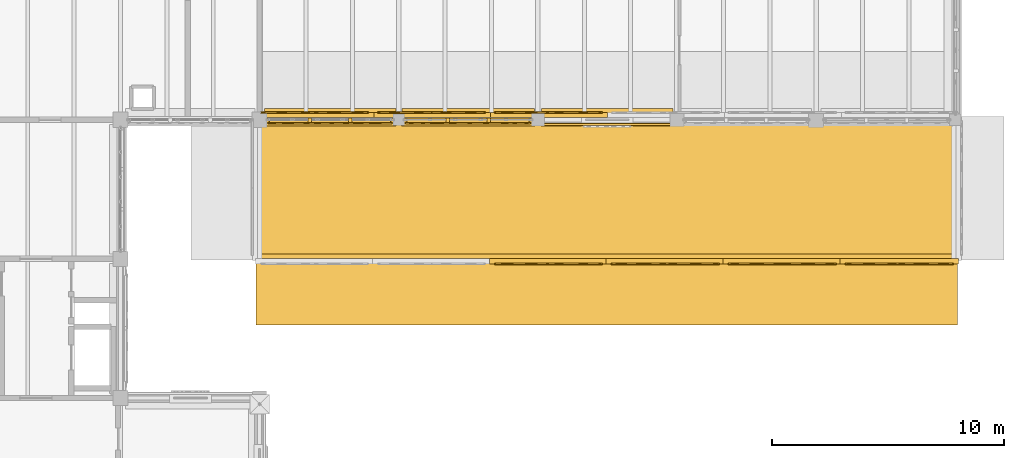
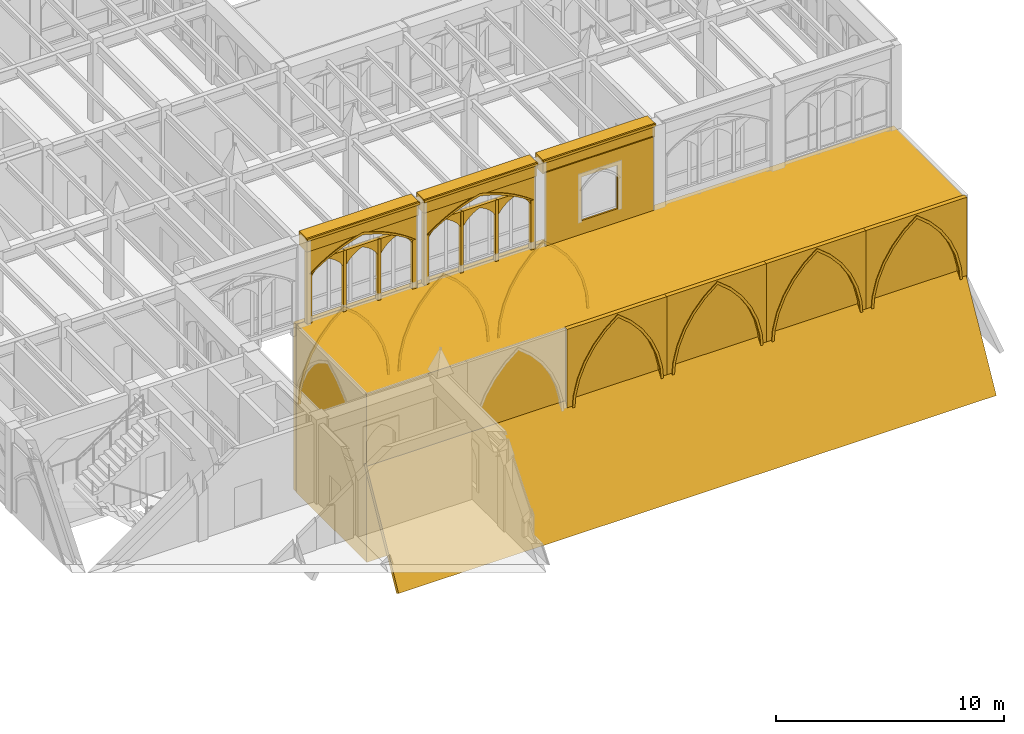
# One storey, part 137 of 143: 37 coverings.
"""IFC4 building model written with IfcOpenShell, lengths in metres."""

from ifc_helpers import new_model, si_unit, direction, frame, origin, origin_2d, place, context, subcontext, project, spatial, polyline, rectangle, outline, extrude, material, type_object, element, save


model = new_model("IFC4")

# Units and contexts
model_context = context("Model", 3, precision=1e-05, world=origin(), true_north=direction((0.0, 1.0)))
body_context = subcontext(model_context, "Body", "Model", "MODEL_VIEW")
ifc_project = project(units=[si_unit("LENGTHUNIT", "METRE"), si_unit("AREAUNIT", "SQUARE_METRE"), si_unit("VOLUMEUNIT", "CUBIC_METRE"), si_unit("PLANEANGLEUNIT", "RADIAN"), si_unit("MASSUNIT", "GRAM", prefix="KILO")], contexts=[model_context])

# Site, building, storey
site_placement = place(None, origin())
site = spatial("IfcSite", under=ifc_project, at=site_placement, CompositionType="ELEMENT")
building_placement = place(site_placement, origin())
building = spatial("IfcBuilding", under=site, at=building_placement, Name="Cumevento Cable Car Station", CompositionType="ELEMENT")
storey_placement = place(building_placement, frame((0.0, 0.0, 9.0)))
storey = spatial("IfcBuildingStorey", under=building, at=storey_placement, Name="L03", CompositionType="ELEMENT", Elevation=9.0)

# Coverings
ifc_material = material(Name="Gnaisse Facoidal Stone Ashlar 85 MPa", Category="masonry")
covering_type = type_object("IfcCoveringType", Name="Gnaisse Ashlar Cladding CV-CL01", PredefinedType="CLADDING", material=ifc_material)
covering_1_placement = place(storey_placement, frame((139.03759765625, 33.14990234375, 3.8330078125), z_axis=(0.0, 0.0, 1.0), x_axis=(-1.0, 0.0, 0.0)))
element("IfcCovering", 1, at=covering_1_placement, inside=storey, type_object=covering_type, Name="Gothic Stone Spandrel Stringcourse sc:0680", PredefinedType="CLADDING", context=body_context, shape_type="SweptSolid", body=[
    extrude(rectangle(XDim=5.6650390625, YDim=0.659912109375, at=origin_2d()), origin(), (0.0, 0.0, 1.0), 0.7470703125),
])
covering_2_placement = place(storey_placement, frame((139.03759765625, 32.79248046875, 4.449951171875), z_axis=(0.0, 0.0, 1.0), x_axis=(-1.0, 0.0, 0.0)))
element("IfcCovering", 2, at=covering_2_placement, inside=storey, type_object=covering_type, Name="Gothic Cornice Dripstone Lip sc:0680", PredefinedType="CLADDING", context=body_context, shape_type="SweptSolid", body=[
    extrude(rectangle(XDim=5.705078125, YDim=0.114990234375, at=origin_2d()), origin(), (0.0, 0.0, 1.0), 0.1298828125),
])
covering_3_placement = place(storey_placement, frame((144.987548828125, 33.14990234375, 3.8330078125), z_axis=(0.0, 0.0, 1.0), x_axis=(-1.0, 0.0, 0.0)))
element("IfcCovering", 3, at=covering_3_placement, inside=storey, type_object=covering_type, Name="Gothic Stone Spandrel Stringcourse sc:0681", PredefinedType="CLADDING", context=body_context, shape_type="SweptSolid", body=[
    extrude(rectangle(XDim=5.715087890625, YDim=0.659912109375, at=origin_2d()), origin(), (0.0, 0.0, 1.0), 0.7470703125),
])
covering_4_placement = place(storey_placement, frame((144.987548828125, 32.79248046875, 4.449951171875), z_axis=(0.0, 0.0, 1.0), x_axis=(-1.0, 0.0, 0.0)))
element("IfcCovering", 4, at=covering_4_placement, inside=storey, type_object=covering_type, Name="Gothic Cornice Dripstone Lip sc:0681", PredefinedType="CLADDING", context=body_context, shape_type="SweptSolid", body=[
    extrude(rectangle(XDim=5.7548828125, YDim=0.114990234375, at=origin_2d()), origin(), (0.0, 0.0, 1.0), 0.1298828125),
])
covering_5_placement = place(storey_placement, frame((150.987548828125, 33.14990234375, 3.8330078125), z_axis=(0.0, 0.0, 1.0), x_axis=(-1.0, 0.0, 0.0)))
element("IfcCovering", 5, at=covering_5_placement, inside=storey, type_object=covering_type, Name="Gothic Stone Spandrel Stringcourse sc:0682", PredefinedType="CLADDING", context=body_context, shape_type="SweptSolid", body=[
    extrude(rectangle(XDim=5.6650390625, YDim=0.659912109375, at=origin_2d()), origin(), (0.0, 0.0, 1.0), 0.7470703125),
])
covering_6_placement = place(storey_placement, frame((150.987548828125, 32.79248046875, 4.449951171875), z_axis=(0.0, 0.0, 1.0), x_axis=(-1.0, 0.0, 0.0)))
element("IfcCovering", 6, at=covering_6_placement, inside=storey, type_object=covering_type, Name="Gothic Cornice Dripstone Lip sc:0682", PredefinedType="CLADDING", context=body_context, shape_type="SweptSolid", body=[
    extrude(rectangle(XDim=5.705078125, YDim=0.114990234375, at=origin_2d()), origin(), (0.0, 0.0, 1.0), 0.1298828125),
])
placement_1 = place(storey_placement, frame((141.75, 33.0, -0.3701171875), z_axis=(0.0, 0.0, 1.0), x_axis=(-1.0, 0.0, 0.0)))
element("IfcCovering", 7, at=placement_1, inside=storey, type_object=covering_type, Name="Gothic Ogival Pointed-Arch Stone Spandrel cw_ogival:0131", PredefinedType="CLADDING", context=body_context, shape_type="SweptSolid", body=[
    extrude(outline(polyline([(-0.080078125, 0.0), (-0.080078125, 4.343017578125), (5.5048828125, 4.343017578125), (5.5048828125, 0.0), (5.264892578125, 0.0), (5.264892578125, 2.97314453125), (4.97412109375, 3.17333984375), (4.673583984375, 3.359130859375), (4.3642578125, 3.529541015625), (4.046875, 3.6845703125), (3.72216796875, 3.823974609375), (3.39111328125, 3.94677734375), (3.05419921875, 4.05322265625), (2.71240234375, 4.14306640625), (2.370849609375, 4.05322265625), (2.033935546875, 3.94677734375), (1.702880859375, 3.823974609375), (1.378173828125, 3.6845703125), (1.060791015625, 3.529541015625), (0.75146484375, 3.359130859375), (0.450927734375, 3.17333984375), (0.159912109375, 2.97314453125), (0.159912109375, 0.0), (-0.080078125, 0.0)])), frame((0.0, 0.139892578125, 0.0), z_axis=(0.0, -1.0, 0.0), x_axis=(1.0, 0.0, 0.0)), (0.0, 0.0, 1.0), 0.219970703125),
])
covering_8_placement = place(storey_placement, frame((141.75, 33.0, 2.60302734375), z_axis=(0.0, 0.0, 1.0), x_axis=(-1.0, 0.0, 0.0)))
element("IfcCovering", 8, at=covering_8_placement, inside=storey, type_object=covering_type, Name="Gothic Pointed Archivolt Hood Moulding cw_ogival:0131", PredefinedType="CLADDING", context=body_context, shape_type="SweptSolid", body=[
    extrude(outline(polyline([(0.159912109375, 0.0), (0.450927734375, 0.2001953125), (0.75146484375, 0.385986328125), (1.060791015625, 0.556396484375), (1.378173828125, 0.71142578125), (1.702880859375, 0.850830078125), (2.033935546875, 0.9736328125), (2.370849609375, 1.080078125), (2.71240234375, 1.169921875), (3.05419921875, 1.080078125), (3.39111328125, 0.9736328125), (3.72216796875, 0.850830078125), (4.046875, 0.71142578125), (4.3642578125, 0.556396484375), (4.673583984375, 0.385986328125), (4.97412109375, 0.2001953125), (5.264892578125, 0.0), (5.375, 0.0), (5.075439453125, 0.22314453125), (4.7646484375, 0.43017578125), (4.443359375, 0.62060546875), (4.11279296875, 0.7939453125), (3.773193359375, 0.94970703125), (3.426025390625, 1.08740234375), (3.072265625, 1.206787109375), (2.71240234375, 1.307373046875), (2.352783203125, 1.206787109375), (1.9990234375, 1.08740234375), (1.65185546875, 0.94970703125), (1.312255859375, 0.7939453125), (0.981689453125, 0.62060546875), (0.660400390625, 0.43017578125), (0.349609375, 0.22314453125), (0.050048828125, 0.0), (0.159912109375, 0.0)])), frame((0.0, 0.181884765625, 0.0), z_axis=(0.0, -1.0, 0.0), x_axis=(1.0, 0.0, 0.0)), (0.0, 0.0, 1.0), 0.06689453125),
])
element("IfcCovering", 9, at=placement_1, inside=storey, type_object=covering_type, Name="Gothic Bifora Stone Colonnette cw_ogival:0131 #1", PredefinedType="CLADDING", context=body_context, shape_type="SweptSolid", body=[
    extrude(outline(polyline([(1.76171875, -0.02001953125), (1.91162109375, -0.02001953125), (1.91162109375, 3.581298828125), (1.76171875, 3.581298828125), (1.76171875, -0.02001953125)])), frame((0.0, 0.1279296875, 0.0), z_axis=(0.0, -1.0, 0.0), x_axis=(1.0, 0.0, 0.0)), (0.0, 0.0, 1.0), 0.205078125),
])
element("IfcCovering", 10, at=placement_1, inside=storey, type_object=covering_type, Name="Gothic Bifora Stone Colonnette cw_ogival:0131 #2", PredefinedType="CLADDING", context=body_context, shape_type="SweptSolid", body=[
    extrude(outline(polyline([(3.513427734375, -0.02001953125), (3.663330078125, -0.02001953125), (3.663330078125, 3.581298828125), (3.513427734375, 3.581298828125), (3.513427734375, -0.02001953125)])), frame((0.0, 0.1279296875, 0.0), z_axis=(0.0, -1.0, 0.0), x_axis=(1.0, 0.0, 0.0)), (0.0, 0.0, 1.0), 0.205078125),
])
for number, where, z_axis, x_axis, name in (
    (11, (141.6201171875, 33.0, 2.423095703125), (0.0, 0.0, 1.0), (-1.0, 0.0, 0.0), "Gothic Ogival Pointed-Arch Stone Spandrel cw_ogival:0131:sub:0"),
    (12, (139.868408203125, 33.0, 2.423095703125), (0.0, 0.0, 1.0), (-1.0, 0.0, 0.0), "Gothic Ogival Pointed-Arch Stone Spandrel cw_ogival:0131:sub:1"),
    (13, (138.11669921875, 33.0, 2.423095703125), (0.0, 0.0, 1.0), (-1.0, 0.0, 0.0), "Gothic Ogival Pointed-Arch Stone Spandrel cw_ogival:0131:sub:2"),
):
    element("IfcCovering", number, at=place(storey_placement, frame(where, z_axis=z_axis, x_axis=x_axis)), inside=storey, type_object=covering_type, Name=name, PredefinedType="CLADDING", context=body_context, shape_type="SweptSolid", body=[
        extrude(outline(polyline([(-0.02001953125, 0.0), (-0.02001953125, 0.788330078125), (1.681640625, 0.788330078125), (1.681640625, 0.0), (1.62158203125, 0.0), (1.5224609375, 0.144775390625), (1.408447265625, 0.278076171875), (1.280517578125, 0.3984375), (1.140625, 0.50439453125), (0.990234375, 0.5947265625), (0.830810546875, 0.668212890625), (0.67138671875, 0.5947265625), (0.52099609375, 0.50439453125), (0.381103515625, 0.3984375), (0.253173828125, 0.278076171875), (0.13916015625, 0.144775390625), (0.0400390625, 0.0), (-0.02001953125, 0.0)])), frame((0.0, 0.1240234375, 0.0), z_axis=(0.0, -1.0, 0.0), x_axis=(1.0, 0.0, 0.0)), (0.0, 0.0, 1.0), 0.199951171875),
    ])
placement_2 = place(storey_placement, frame((147.72509765625, 33.0, -0.320068359375), z_axis=(0.0, 0.0, 1.0), x_axis=(-1.0, 0.0, 0.0)))
element("IfcCovering", 14, at=placement_2, inside=storey, type_object=covering_type, Name="Gothic Ogival Pointed-Arch Stone Spandrel cw_ogival:0132", PredefinedType="CLADDING", context=body_context, shape_type="SweptSolid", body=[
    extrude(outline(polyline([(-0.080078125, 0.0), (-0.080078125, 4.29296875), (5.554931640625, 4.29296875), (5.554931640625, 0.0), (5.31494140625, 0.0), (5.31494140625, 2.941162109375), (5.02001953125, 3.138427734375), (4.715576171875, 3.321533203125), (4.40283203125, 3.489501953125), (4.082275390625, 3.64208984375), (3.754638671875, 3.779052734375), (3.4208984375, 3.900146484375), (3.08154296875, 4.0048828125), (2.737548828125, 4.093017578125), (2.3935546875, 4.0048828125), (2.05419921875, 3.900146484375), (1.720458984375, 3.779052734375), (1.392822265625, 3.64208984375), (1.072265625, 3.489501953125), (0.759521484375, 3.321533203125), (0.455078125, 3.138427734375), (0.159912109375, 2.941162109375), (0.159912109375, 0.0), (-0.080078125, 0.0)])), frame((0.0, 0.139892578125, 0.0), z_axis=(0.0, -1.0, 0.0), x_axis=(1.0, 0.0, 0.0)), (0.0, 0.0, 1.0), 0.219970703125),
])
covering_12_placement = place(storey_placement, frame((147.72509765625, 33.0, 2.62109375), z_axis=(0.0, 0.0, 1.0), x_axis=(-1.0, 0.0, 0.0)))
element("IfcCovering", 15, at=covering_12_placement, inside=storey, type_object=covering_type, Name="Gothic Pointed Archivolt Hood Moulding cw_ogival:0132", PredefinedType="CLADDING", context=body_context, shape_type="SweptSolid", body=[
    extrude(outline(polyline([(0.159912109375, 0.0), (0.455078125, 0.197265625), (0.759521484375, 0.38037109375), (1.072265625, 0.54833984375), (1.392822265625, 0.700927734375), (1.720458984375, 0.837890625), (2.05419921875, 0.958984375), (2.3935546875, 1.063720703125), (2.737548828125, 1.15185546875), (3.08154296875, 1.063720703125), (3.4208984375, 0.958984375), (3.754638671875, 0.837890625), (4.082275390625, 0.700927734375), (4.40283203125, 0.54833984375), (4.715576171875, 0.38037109375), (5.02001953125, 0.197265625), (5.31494140625, 0.0), (5.425048828125, 0.0), (5.121337890625, 0.22021484375), (4.806640625, 0.424560546875), (4.48193359375, 0.612548828125), (4.14794921875, 0.783447265625), (3.8056640625, 0.93701171875), (3.455810546875, 1.07275390625), (3.099365234375, 1.190185546875), (2.737548828125, 1.289306640625), (2.375732421875, 1.190185546875), (2.019287109375, 1.07275390625), (1.66943359375, 0.93701171875), (1.3271484375, 0.783447265625), (0.9931640625, 0.612548828125), (0.66845703125, 0.424560546875), (0.353759765625, 0.22021484375), (0.050048828125, 0.0), (0.159912109375, 0.0)])), frame((0.0, 0.181884765625, 0.0), z_axis=(0.0, -1.0, 0.0), x_axis=(1.0, 0.0, 0.0)), (0.0, 0.0, 1.0), 0.06689453125),
])
element("IfcCovering", 16, at=placement_2, inside=storey, type_object=covering_type, Name="Gothic Bifora Stone Colonnette cw_ogival:0132 #1", PredefinedType="CLADDING", context=body_context, shape_type="SweptSolid", body=[
    extrude(outline(polyline([(1.7783203125, -0.02001953125), (1.92822265625, -0.02001953125), (1.92822265625, 3.5400390625), (1.7783203125, 3.5400390625), (1.7783203125, -0.02001953125)])), frame((0.0, 0.1279296875, 0.0), z_axis=(0.0, -1.0, 0.0), x_axis=(1.0, 0.0, 0.0)), (0.0, 0.0, 1.0), 0.205078125),
])
element("IfcCovering", 17, at=placement_2, inside=storey, type_object=covering_type, Name="Gothic Bifora Stone Colonnette cw_ogival:0132 #2", PredefinedType="CLADDING", context=body_context, shape_type="SweptSolid", body=[
    extrude(outline(polyline([(3.546630859375, -0.02001953125), (3.69677734375, -0.02001953125), (3.69677734375, 3.5400390625), (3.546630859375, 3.5400390625), (3.546630859375, -0.02001953125)])), frame((0.0, 0.1279296875, 0.0), z_axis=(0.0, -1.0, 0.0), x_axis=(1.0, 0.0, 0.0)), (0.0, 0.0, 1.0), 0.205078125),
])
for number, where, z_axis, x_axis, name in (
    (18, (147.594970703125, 33.0, 2.441162109375), (0.0, 0.0, 1.0), (-1.0, 0.0, 0.0), "Gothic Ogival Pointed-Arch Stone Spandrel cw_ogival:0132:sub:0"),
    (19, (145.82666015625, 33.0, 2.441162109375), (0.0, 0.0, 1.0), (-1.0, 0.0, 0.0), "Gothic Ogival Pointed-Arch Stone Spandrel cw_ogival:0132:sub:1"),
    (20, (144.058349609375, 33.0, 2.441162109375), (0.0, 0.0, 1.0), (-1.0, 0.0, 0.0), "Gothic Ogival Pointed-Arch Stone Spandrel cw_ogival:0132:sub:2"),
):
    element("IfcCovering", number, at=place(storey_placement, frame(where, z_axis=z_axis, x_axis=x_axis)), inside=storey, type_object=covering_type, Name=name, PredefinedType="CLADDING", context=body_context, shape_type="SweptSolid", body=[
        extrude(outline(polyline([(-0.02001953125, 0.0), (-0.02001953125, 0.779052734375), (1.6982421875, 0.779052734375), (1.6982421875, 0.0), (1.638427734375, 0.0), (1.53662109375, 0.14306640625), (1.420654296875, 0.274658203125), (1.291259765625, 0.393310546875), (1.150146484375, 0.497802734375), (0.9990234375, 0.586669921875), (0.839111328125, 0.658935546875), (0.67919921875, 0.586669921875), (0.528076171875, 0.497802734375), (0.386962890625, 0.393310546875), (0.257568359375, 0.274658203125), (0.1416015625, 0.14306640625), (0.0400390625, 0.0), (-0.02001953125, 0.0)])), frame((0.0, 0.1240234375, 0.0), z_axis=(0.0, -1.0, 0.0), x_axis=(1.0, 0.0, 0.0)), (0.0, 0.0, 1.0), 0.199951171875),
    ])
covering_15_placement = place(storey_placement, frame((153.699951171875, 33.0, 0.0), z_axis=(0.0, 0.0, 1.0), x_axis=(-1.0, 0.0, 0.0)))
element("IfcCovering", 21, at=covering_15_placement, inside=storey, type_object=covering_type, Name="Exterior Gnaisse Stone Wall Ashlar #258", PredefinedType="CLADDING", context=body_context, shape_type="SweptSolid", body=[
    extrude(outline(polyline([(-0.0400390625, -0.02001953125), (5.465087890625, -0.02001953125), (5.465087890625, 3.9130859375), (-0.0400390625, 3.9130859375), (-0.0400390625, -0.02001953125)]), holes=[polyline([(1.797607421875, 0.7099609375), (3.62744140625, 0.7099609375), (3.62744140625, 3.0400390625), (1.797607421875, 3.0400390625), (1.797607421875, 0.7099609375)])]), frame((0.0, 0.2451171875, 0.0), z_axis=(0.0, -1.0, 0.0), x_axis=(1.0, 0.0, 0.0)), (0.0, 0.0, 1.0), 0.0849609375),
])
covering_16_placement = place(storey_placement, frame((0.0, 0.0, -9.080078125)))
element("IfcCovering", 22, at=covering_16_placement, inside=storey, type_object=covering_type, Name="Stepped Gnaisse Hillside Terrain Shoulder SLOPE_DEP_S2.1", PredefinedType="CLADDING", context=body_context, shape_type="SweptSolid", body=[
    extrude(outline(polyline([(135.85009765625, 26.949951171875), (135.85009765625, 33.14990234375), (166.10009765625, 33.14990234375), (166.10009765625, 26.949951171875), (135.85009765625, 26.949951171875)])), origin(), (0.0, 0.0, 1.0), 9.02001953125),
])
covering_17_placement = place(storey_placement, frame((150.97509765625, 26.949951171875, -9.02001953125), z_axis=(0.0, 0.0, 1.0), x_axis=(-1.0, 0.0, 0.0)))
element("IfcCovering", 23, at=covering_17_placement, inside=storey, type_object=covering_type, Name="Gothic Ogival Pointed-Arch Stone Spandrel cumevento_plinth:bank_arch:SLOPE_DEP_S2:S:2", PredefinedType="CLADDING", context=body_context, shape_type="SweptSolid", body=[
    extrude(outline(polyline([(-0.030029296875, 0.0), (-0.030029296875, 8.97998046875), (5.07177734375, 8.97998046875), (5.07177734375, 0.0), (4.7216796875, 0.0), (4.7216796875, 4.47998046875), (4.656005859375, 5.3095703125), (4.460205078125, 6.118408203125), (4.139404296875, 6.88623046875), (3.701416015625, 7.593994140625), (3.157470703125, 8.223876953125), (2.520751953125, 8.760009765625), (1.88427734375, 8.223876953125), (1.34033203125, 7.593994140625), (0.90234375, 6.88623046875), (0.58154296875, 6.118408203125), (0.3857421875, 5.3095703125), (0.320068359375, 4.47998046875), (0.320068359375, 0.0), (-0.030029296875, 0.0)])), frame((0.0, 0.159912109375, 0.0), z_axis=(0.0, -1.0, 0.0), x_axis=(1.0, 0.0, 0.0)), (0.0, 0.0, 1.0), 0.219970703125),
])
covering_18_placement = place(storey_placement, frame((150.97509765625, 26.949951171875, -4.5400390625), z_axis=(0.0, 0.0, 1.0), x_axis=(-1.0, 0.0, 0.0)))
element("IfcCovering", 24, at=covering_18_placement, inside=storey, type_object=covering_type, Name="Gothic Pointed Archivolt Hood Moulding cumevento_plinth:bank_arch:SLOPE_DEP_S2:S:2", PredefinedType="CLADDING", context=body_context, shape_type="SweptSolid", body=[
    extrude(outline(polyline([(0.320068359375, 0.0), (0.3857421875, 0.82958984375), (0.58154296875, 1.638427734375), (0.90234375, 2.40625), (1.34033203125, 3.114013671875), (1.88427734375, 3.743896484375), (2.520751953125, 4.280029296875), (3.157470703125, 3.743896484375), (3.701416015625, 3.114013671875), (4.139404296875, 2.40625), (4.460205078125, 1.638427734375), (4.656005859375, 0.82958984375), (4.7216796875, 0.0), (4.8427734375, 0.0), (4.773193359375, 0.86328125), (4.566162109375, 1.704345703125), (4.22705078125, 2.50146484375), (3.764892578125, 3.233642578125), (3.191162109375, 3.882568359375), (2.520751953125, 4.43115234375), (1.8505859375, 3.882568359375), (1.27685546875, 3.233642578125), (0.814697265625, 2.50146484375), (0.4755859375, 1.704345703125), (0.2685546875, 0.86328125), (0.198974609375, 0.0), (0.320068359375, 0.0)])), frame((0.0, 0.201904296875, 0.0), z_axis=(0.0, -1.0, 0.0), x_axis=(1.0, 0.0, 0.0)), (0.0, 0.0, 1.0), 0.06689453125),
])
covering_19_placement = place(storey_placement, frame((156.0166015625, 26.949951171875, -9.02001953125), z_axis=(0.0, 0.0, 1.0), x_axis=(-1.0, 0.0, 0.0)))
element("IfcCovering", 25, at=covering_19_placement, inside=storey, type_object=covering_type, Name="Gothic Ogival Pointed-Arch Stone Spandrel cumevento_plinth:bank_arch:SLOPE_DEP_S2:S:3", PredefinedType="CLADDING", context=body_context, shape_type="SweptSolid", body=[
    extrude(outline(polyline([(-0.030029296875, 0.0), (-0.030029296875, 8.97998046875), (5.07177734375, 8.97998046875), (5.07177734375, 0.0), (4.7216796875, 0.0), (4.7216796875, 4.47998046875), (4.656005859375, 5.3095703125), (4.460205078125, 6.118408203125), (4.139404296875, 6.88623046875), (3.701416015625, 7.593994140625), (3.157470703125, 8.223876953125), (2.520751953125, 8.760009765625), (1.88427734375, 8.223876953125), (1.34033203125, 7.593994140625), (0.90234375, 6.88623046875), (0.58154296875, 6.118408203125), (0.3857421875, 5.3095703125), (0.320068359375, 4.47998046875), (0.320068359375, 0.0), (-0.030029296875, 0.0)])), frame((0.0, 0.159912109375, 0.0), z_axis=(0.0, -1.0, 0.0), x_axis=(1.0, 0.0, 0.0)), (0.0, 0.0, 1.0), 0.219970703125),
])
covering_20_placement = place(storey_placement, frame((156.0166015625, 26.949951171875, -4.5400390625), z_axis=(0.0, 0.0, 1.0), x_axis=(-1.0, 0.0, 0.0)))
element("IfcCovering", 26, at=covering_20_placement, inside=storey, type_object=covering_type, Name="Gothic Pointed Archivolt Hood Moulding cumevento_plinth:bank_arch:SLOPE_DEP_S2:S:3", PredefinedType="CLADDING", context=body_context, shape_type="SweptSolid", body=[
    extrude(outline(polyline([(0.320068359375, 0.0), (0.3857421875, 0.82958984375), (0.58154296875, 1.638427734375), (0.90234375, 2.40625), (1.34033203125, 3.114013671875), (1.88427734375, 3.743896484375), (2.520751953125, 4.280029296875), (3.157470703125, 3.743896484375), (3.701416015625, 3.114013671875), (4.139404296875, 2.40625), (4.460205078125, 1.638427734375), (4.656005859375, 0.82958984375), (4.7216796875, 0.0), (4.8427734375, 0.0), (4.773193359375, 0.86328125), (4.566162109375, 1.704345703125), (4.22705078125, 2.50146484375), (3.764892578125, 3.233642578125), (3.191162109375, 3.882568359375), (2.520751953125, 4.43115234375), (1.8505859375, 3.882568359375), (1.27685546875, 3.233642578125), (0.814697265625, 2.50146484375), (0.4755859375, 1.704345703125), (0.2685546875, 0.86328125), (0.198974609375, 0.0), (0.320068359375, 0.0)])), frame((0.0, 0.201904296875, 0.0), z_axis=(0.0, -1.0, 0.0), x_axis=(1.0, 0.0, 0.0)), (0.0, 0.0, 1.0), 0.06689453125),
])
covering_21_placement = place(storey_placement, frame((161.058349609375, 26.949951171875, -9.02001953125), z_axis=(0.0, 0.0, 1.0), x_axis=(-1.0, 0.0, 0.0)))
element("IfcCovering", 27, at=covering_21_placement, inside=storey, type_object=covering_type, Name="Gothic Ogival Pointed-Arch Stone Spandrel cumevento_plinth:bank_arch:SLOPE_DEP_S2:S:4", PredefinedType="CLADDING", context=body_context, shape_type="SweptSolid", body=[
    extrude(outline(polyline([(-0.030029296875, 0.0), (-0.030029296875, 8.97998046875), (5.07177734375, 8.97998046875), (5.07177734375, 0.0), (4.7216796875, 0.0), (4.7216796875, 4.47998046875), (4.656005859375, 5.3095703125), (4.460205078125, 6.118408203125), (4.139404296875, 6.88623046875), (3.701416015625, 7.593994140625), (3.157470703125, 8.223876953125), (2.520751953125, 8.760009765625), (1.88427734375, 8.223876953125), (1.34033203125, 7.593994140625), (0.90234375, 6.88623046875), (0.58154296875, 6.118408203125), (0.3857421875, 5.3095703125), (0.320068359375, 4.47998046875), (0.320068359375, 0.0), (-0.030029296875, 0.0)])), frame((0.0, 0.159912109375, 0.0), z_axis=(0.0, -1.0, 0.0), x_axis=(1.0, 0.0, 0.0)), (0.0, 0.0, 1.0), 0.219970703125),
])
covering_22_placement = place(storey_placement, frame((161.058349609375, 26.949951171875, -4.5400390625), z_axis=(0.0, 0.0, 1.0), x_axis=(-1.0, 0.0, 0.0)))
element("IfcCovering", 28, at=covering_22_placement, inside=storey, type_object=covering_type, Name="Gothic Pointed Archivolt Hood Moulding cumevento_plinth:bank_arch:SLOPE_DEP_S2:S:4", PredefinedType="CLADDING", context=body_context, shape_type="SweptSolid", body=[
    extrude(outline(polyline([(0.320068359375, 0.0), (0.3857421875, 0.82958984375), (0.58154296875, 1.638427734375), (0.90234375, 2.40625), (1.34033203125, 3.114013671875), (1.88427734375, 3.743896484375), (2.520751953125, 4.280029296875), (3.157470703125, 3.743896484375), (3.701416015625, 3.114013671875), (4.139404296875, 2.40625), (4.460205078125, 1.638427734375), (4.656005859375, 0.82958984375), (4.7216796875, 0.0), (4.8427734375, 0.0), (4.773193359375, 0.86328125), (4.566162109375, 1.704345703125), (4.22705078125, 2.50146484375), (3.764892578125, 3.233642578125), (3.191162109375, 3.882568359375), (2.520751953125, 4.43115234375), (1.8505859375, 3.882568359375), (1.27685546875, 3.233642578125), (0.814697265625, 2.50146484375), (0.4755859375, 1.704345703125), (0.2685546875, 0.86328125), (0.198974609375, 0.0), (0.320068359375, 0.0)])), frame((0.0, 0.201904296875, 0.0), z_axis=(0.0, -1.0, 0.0), x_axis=(1.0, 0.0, 0.0)), (0.0, 0.0, 1.0), 0.06689453125),
])
covering_23_placement = place(storey_placement, frame((166.10009765625, 26.949951171875, -9.02001953125), z_axis=(0.0, 0.0, 1.0), x_axis=(-1.0, 0.0, 0.0)))
element("IfcCovering", 29, at=covering_23_placement, inside=storey, type_object=covering_type, Name="Gothic Ogival Pointed-Arch Stone Spandrel cumevento_plinth:bank_arch:SLOPE_DEP_S2:S:5", PredefinedType="CLADDING", context=body_context, shape_type="SweptSolid", body=[
    extrude(outline(polyline([(-0.030029296875, 0.0), (-0.030029296875, 8.97998046875), (5.07177734375, 8.97998046875), (5.07177734375, 0.0), (4.7216796875, 0.0), (4.7216796875, 4.47998046875), (4.656005859375, 5.3095703125), (4.460205078125, 6.118408203125), (4.139404296875, 6.88623046875), (3.701416015625, 7.593994140625), (3.157470703125, 8.223876953125), (2.520751953125, 8.760009765625), (1.88427734375, 8.223876953125), (1.34033203125, 7.593994140625), (0.90234375, 6.88623046875), (0.58154296875, 6.118408203125), (0.3857421875, 5.3095703125), (0.320068359375, 4.47998046875), (0.320068359375, 0.0), (-0.030029296875, 0.0)])), frame((0.0, 0.159912109375, 0.0), z_axis=(0.0, -1.0, 0.0), x_axis=(1.0, 0.0, 0.0)), (0.0, 0.0, 1.0), 0.219970703125),
])
covering_24_placement = place(storey_placement, frame((166.10009765625, 26.949951171875, -4.5400390625), z_axis=(0.0, 0.0, 1.0), x_axis=(-1.0, 0.0, 0.0)))
element("IfcCovering", 30, at=covering_24_placement, inside=storey, type_object=covering_type, Name="Gothic Pointed Archivolt Hood Moulding cumevento_plinth:bank_arch:SLOPE_DEP_S2:S:5", PredefinedType="CLADDING", context=body_context, shape_type="SweptSolid", body=[
    extrude(outline(polyline([(0.320068359375, 0.0), (0.3857421875, 0.82958984375), (0.58154296875, 1.638427734375), (0.90234375, 2.40625), (1.34033203125, 3.114013671875), (1.88427734375, 3.743896484375), (2.520751953125, 4.280029296875), (3.157470703125, 3.743896484375), (3.701416015625, 3.114013671875), (4.139404296875, 2.40625), (4.460205078125, 1.638427734375), (4.656005859375, 0.82958984375), (4.7216796875, 0.0), (4.8427734375, 0.0), (4.773193359375, 0.86328125), (4.566162109375, 1.704345703125), (4.22705078125, 2.50146484375), (3.764892578125, 3.233642578125), (3.191162109375, 3.882568359375), (2.520751953125, 4.43115234375), (1.8505859375, 3.882568359375), (1.27685546875, 3.233642578125), (0.814697265625, 2.50146484375), (0.4755859375, 1.704345703125), (0.2685546875, 0.86328125), (0.198974609375, 0.0), (0.320068359375, 0.0)])), frame((0.0, 0.201904296875, 0.0), z_axis=(0.0, -1.0, 0.0), x_axis=(1.0, 0.0, 0.0)), (0.0, 0.0, 1.0), 0.06689453125),
])
covering_25_placement = place(storey_placement, frame((135.85009765625, 24.14990234375, -9.0400390625), z_axis=(0.0, -0.876739812589, 0.480964968601), x_axis=(1.0, 0.0, 0.0)))
element("IfcCovering", 31, at=covering_25_placement, inside=storey, type_object=covering_type, Name="Sloped Gnaisse Hillside Talus SLOPE_DEP_S2 S", PredefinedType="CLADDING", context=body_context, shape_type="SweptSolid", body=[
    extrude(outline(polyline([(0.0, 0.0), (30.25, 0.0), (30.25, 5.946602369384608), (0.0, 5.946602369384608), (0.0, 0.0)])), origin(), (0.0, 0.0, -1.0), 0.219970703125),
])
covering_26_placement = place(storey_placement, frame((145.933349609375, 33.14990234375, -9.02001953125), z_axis=(0.0, 0.0, 1.0), x_axis=(1.0, 0.0, 0.0)))
element("IfcCovering", 32, at=covering_26_placement, inside=storey, type_object=covering_type, Name="Gothic Ogival Pointed-Arch Stone Spandrel cumevento_plinth:bank_arch:SLOPE_DEP_S2:N:3", PredefinedType="CLADDING", context=body_context, shape_type="SweptSolid", body=[
    extrude(outline(polyline([(-0.030029296875, 0.0), (-0.030029296875, 8.97998046875), (5.07177734375, 8.97998046875), (5.07177734375, 0.0), (4.7216796875, 0.0), (4.7216796875, 4.47998046875), (4.656005859375, 5.3095703125), (4.460205078125, 6.118408203125), (4.139404296875, 6.88623046875), (3.701416015625, 7.593994140625), (3.157470703125, 8.223876953125), (2.520751953125, 8.760009765625), (1.88427734375, 8.223876953125), (1.34033203125, 7.593994140625), (0.90234375, 6.88623046875), (0.58154296875, 6.118408203125), (0.3857421875, 5.3095703125), (0.320068359375, 4.47998046875), (0.320068359375, 0.0), (-0.030029296875, 0.0)])), frame((0.0, 0.159912109375, 0.0), z_axis=(0.0, -1.0, 0.0), x_axis=(1.0, 0.0, 0.0)), (0.0, 0.0, 1.0), 0.219970703125),
])
covering_27_placement = place(storey_placement, frame((145.933349609375, 33.14990234375, -4.5400390625), z_axis=(0.0, 0.0, 1.0), x_axis=(1.0, 0.0, 0.0)))
element("IfcCovering", 33, at=covering_27_placement, inside=storey, type_object=covering_type, Name="Gothic Pointed Archivolt Hood Moulding cumevento_plinth:bank_arch:SLOPE_DEP_S2:N:3", PredefinedType="CLADDING", context=body_context, shape_type="SweptSolid", body=[
    extrude(outline(polyline([(0.320068359375, 0.0), (0.3857421875, 0.82958984375), (0.58154296875, 1.638427734375), (0.90234375, 2.40625), (1.34033203125, 3.114013671875), (1.88427734375, 3.743896484375), (2.520751953125, 4.280029296875), (3.157470703125, 3.743896484375), (3.701416015625, 3.114013671875), (4.139404296875, 2.40625), (4.460205078125, 1.638427734375), (4.656005859375, 0.82958984375), (4.7216796875, 0.0), (4.8427734375, 0.0), (4.773193359375, 0.86328125), (4.566162109375, 1.704345703125), (4.22705078125, 2.50146484375), (3.764892578125, 3.233642578125), (3.191162109375, 3.882568359375), (2.520751953125, 4.43115234375), (1.8505859375, 3.882568359375), (1.27685546875, 3.233642578125), (0.814697265625, 2.50146484375), (0.4755859375, 1.704345703125), (0.2685546875, 0.86328125), (0.198974609375, 0.0), (0.320068359375, 0.0)])), frame((0.0, 0.201904296875, 0.0), z_axis=(0.0, -1.0, 0.0), x_axis=(1.0, 0.0, 0.0)), (0.0, 0.0, 1.0), 0.06689453125),
])
covering_28_placement = place(storey_placement, frame((140.8916015625, 33.14990234375, -9.02001953125), z_axis=(0.0, 0.0, 1.0), x_axis=(1.0, 0.0, 0.0)))
element("IfcCovering", 34, at=covering_28_placement, inside=storey, type_object=covering_type, Name="Gothic Ogival Pointed-Arch Stone Spandrel cumevento_plinth:bank_arch:SLOPE_DEP_S2:N:4", PredefinedType="CLADDING", context=body_context, shape_type="SweptSolid", body=[
    extrude(outline(polyline([(-0.030029296875, 0.0), (-0.030029296875, 8.97998046875), (5.07177734375, 8.97998046875), (5.07177734375, 0.0), (4.7216796875, 0.0), (4.7216796875, 4.47998046875), (4.656005859375, 5.3095703125), (4.460205078125, 6.118408203125), (4.139404296875, 6.88623046875), (3.701416015625, 7.593994140625), (3.157470703125, 8.223876953125), (2.520751953125, 8.760009765625), (1.88427734375, 8.223876953125), (1.34033203125, 7.593994140625), (0.90234375, 6.88623046875), (0.58154296875, 6.118408203125), (0.3857421875, 5.3095703125), (0.320068359375, 4.47998046875), (0.320068359375, 0.0), (-0.030029296875, 0.0)])), frame((0.0, 0.159912109375, 0.0), z_axis=(0.0, -1.0, 0.0), x_axis=(1.0, 0.0, 0.0)), (0.0, 0.0, 1.0), 0.219970703125),
])
covering_29_placement = place(storey_placement, frame((140.8916015625, 33.14990234375, -4.5400390625), z_axis=(0.0, 0.0, 1.0), x_axis=(1.0, 0.0, 0.0)))
element("IfcCovering", 35, at=covering_29_placement, inside=storey, type_object=covering_type, Name="Gothic Pointed Archivolt Hood Moulding cumevento_plinth:bank_arch:SLOPE_DEP_S2:N:4", PredefinedType="CLADDING", context=body_context, shape_type="SweptSolid", body=[
    extrude(outline(polyline([(0.320068359375, 0.0), (0.3857421875, 0.82958984375), (0.58154296875, 1.638427734375), (0.90234375, 2.40625), (1.34033203125, 3.114013671875), (1.88427734375, 3.743896484375), (2.520751953125, 4.280029296875), (3.157470703125, 3.743896484375), (3.701416015625, 3.114013671875), (4.139404296875, 2.40625), (4.460205078125, 1.638427734375), (4.656005859375, 0.82958984375), (4.7216796875, 0.0), (4.8427734375, 0.0), (4.773193359375, 0.86328125), (4.566162109375, 1.704345703125), (4.22705078125, 2.50146484375), (3.764892578125, 3.233642578125), (3.191162109375, 3.882568359375), (2.520751953125, 4.43115234375), (1.8505859375, 3.882568359375), (1.27685546875, 3.233642578125), (0.814697265625, 2.50146484375), (0.4755859375, 1.704345703125), (0.2685546875, 0.86328125), (0.198974609375, 0.0), (0.320068359375, 0.0)])), frame((0.0, 0.201904296875, 0.0), z_axis=(0.0, -1.0, 0.0), x_axis=(1.0, 0.0, 0.0)), (0.0, 0.0, 1.0), 0.06689453125),
])
covering_30_placement = place(storey_placement, frame((135.85009765625, 33.14990234375, -9.02001953125), z_axis=(0.0, 0.0, 1.0), x_axis=(1.0, 0.0, 0.0)))
element("IfcCovering", 36, at=covering_30_placement, inside=storey, type_object=covering_type, Name="Gothic Ogival Pointed-Arch Stone Spandrel cumevento_plinth:bank_arch:SLOPE_DEP_S2:N:5", PredefinedType="CLADDING", context=body_context, shape_type="SweptSolid", body=[
    extrude(outline(polyline([(-0.030029296875, 0.0), (-0.030029296875, 8.97998046875), (5.07177734375, 8.97998046875), (5.07177734375, 0.0), (4.7216796875, 0.0), (4.7216796875, 4.47998046875), (4.656005859375, 5.3095703125), (4.460205078125, 6.118408203125), (4.139404296875, 6.88623046875), (3.701416015625, 7.593994140625), (3.157470703125, 8.223876953125), (2.520751953125, 8.760009765625), (1.88427734375, 8.223876953125), (1.34033203125, 7.593994140625), (0.90234375, 6.88623046875), (0.58154296875, 6.118408203125), (0.3857421875, 5.3095703125), (0.320068359375, 4.47998046875), (0.320068359375, 0.0), (-0.030029296875, 0.0)])), frame((0.0, 0.159912109375, 0.0), z_axis=(0.0, -1.0, 0.0), x_axis=(1.0, 0.0, 0.0)), (0.0, 0.0, 1.0), 0.219970703125),
])
covering_31_placement = place(storey_placement, frame((135.85009765625, 33.14990234375, -4.5400390625), z_axis=(0.0, 0.0, 1.0), x_axis=(1.0, 0.0, 0.0)))
element("IfcCovering", 37, at=covering_31_placement, inside=storey, type_object=covering_type, Name="Gothic Pointed Archivolt Hood Moulding cumevento_plinth:bank_arch:SLOPE_DEP_S2:N:5", PredefinedType="CLADDING", context=body_context, shape_type="SweptSolid", body=[
    extrude(outline(polyline([(0.320068359375, 0.0), (0.3857421875, 0.82958984375), (0.58154296875, 1.638427734375), (0.90234375, 2.40625), (1.34033203125, 3.114013671875), (1.88427734375, 3.743896484375), (2.520751953125, 4.280029296875), (3.157470703125, 3.743896484375), (3.701416015625, 3.114013671875), (4.139404296875, 2.40625), (4.460205078125, 1.638427734375), (4.656005859375, 0.82958984375), (4.7216796875, 0.0), (4.8427734375, 0.0), (4.773193359375, 0.86328125), (4.566162109375, 1.704345703125), (4.22705078125, 2.50146484375), (3.764892578125, 3.233642578125), (3.191162109375, 3.882568359375), (2.520751953125, 4.43115234375), (1.8505859375, 3.882568359375), (1.27685546875, 3.233642578125), (0.814697265625, 2.50146484375), (0.4755859375, 1.704345703125), (0.2685546875, 0.86328125), (0.198974609375, 0.0), (0.320068359375, 0.0)])), frame((0.0, 0.201904296875, 0.0), z_axis=(0.0, -1.0, 0.0), x_axis=(1.0, 0.0, 0.0)), (0.0, 0.0, 1.0), 0.06689453125),
])

save(model, "model.ifc")
